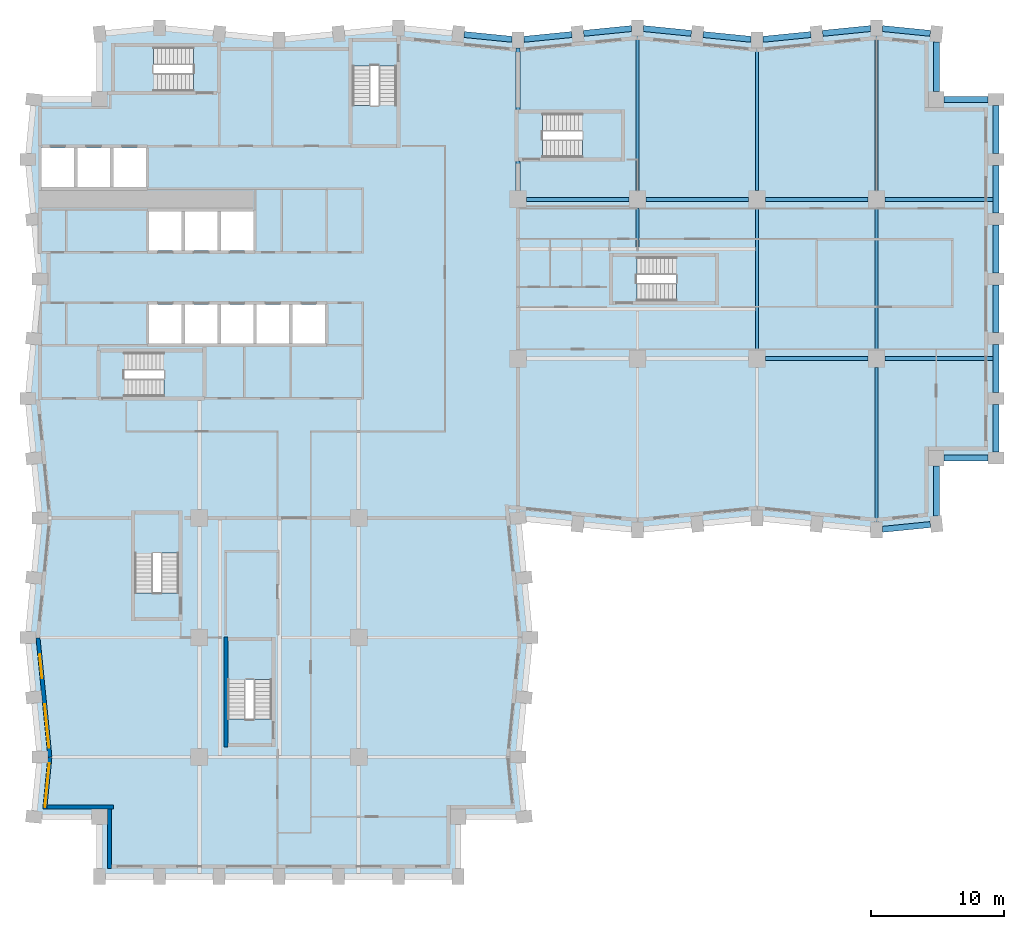
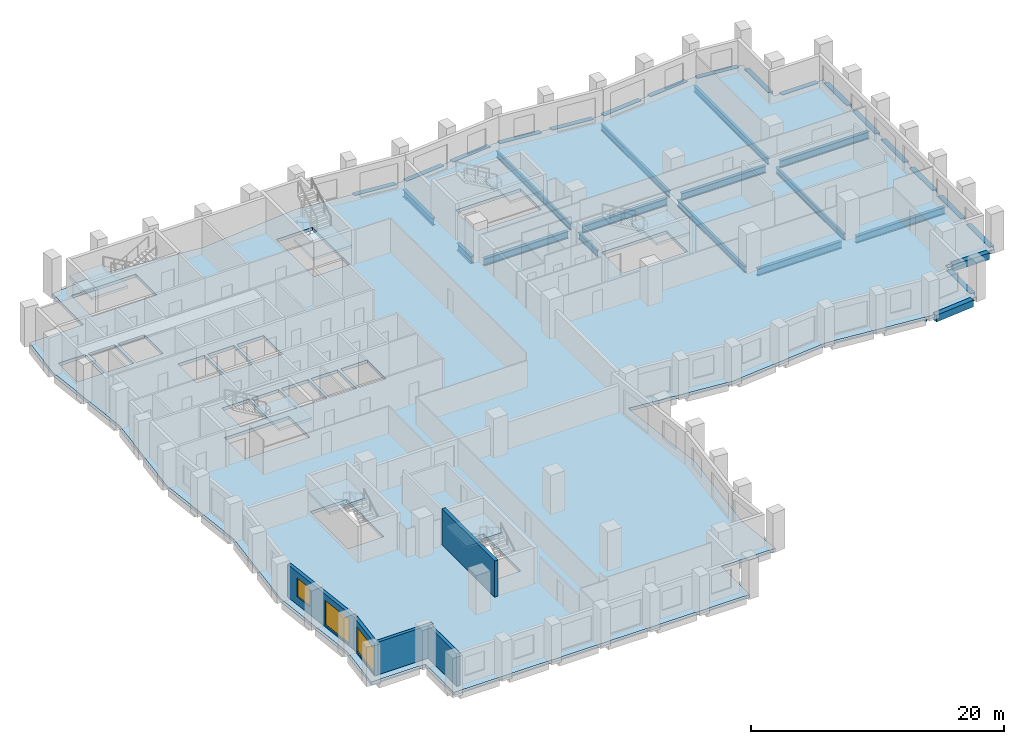
# One storey, part 2 of 11: 34 beams, 8 slabs, 5 walls, 3 windows, 3 openings, 7 elements without a shape of their own.
"""IFC4 building model written with IfcOpenShell, lengths in metres."""

from ifc_helpers import new_model, si_unit, direction, frame, frame_2d, origin, origin_2d, place, context, subcontext, project, spatial, polyline, rectangle, i_section, outline, extrude, material, layer, layer_set, material_profile, profile_set, type_object, element, fill, aggregate, save


model = new_model("IFC4")

# Units and contexts
model_context = context("Model", 3, precision=1e-05, world=origin(), true_north=direction((0.0, 1.0)))
body_context = subcontext(model_context, "Body", "Model", "MODEL_VIEW")
ifc_project = project(units=[si_unit("LENGTHUNIT", "METRE"), si_unit("AREAUNIT", "SQUARE_METRE"), si_unit("VOLUMEUNIT", "CUBIC_METRE"), si_unit("PLANEANGLEUNIT", "RADIAN"), si_unit("MASSUNIT", "GRAM", prefix="KILO")], contexts=[model_context])

# Site, building, storey
site_placement = place(None, origin())
site = spatial("IfcSite", under=ifc_project, at=site_placement, CompositionType="ELEMENT")
building_placement = place(site_placement, origin())
building = spatial("IfcBuilding", under=site, at=building_placement, Name="Brondeck Convention Tower", CompositionType="ELEMENT")
storey_placement = place(building_placement, frame((0.0, 0.0, 130.300048828125)))
storey = spatial("IfcBuildingStorey", under=building, at=storey_placement, Name="L31", CompositionType="ELEMENT", Elevation=130.300048828125)

# Beams
ifc_material_1 = material(Name="Steel S355", Category="steel")
ifc_material_profile_1 = material_profile(ifc_material_1, i_section(OverallWidth=0.219970703125, OverallDepth=0.60009765625, WebThickness=0.011962890625, FlangeThickness=0.01904296875, FilletRadius=0.02392578125, at=origin_2d()), Name="IPE 600")
ifc_profile_set_1 = profile_set([ifc_material_profile_1], Name="Steel S355")
beam_type_1 = type_object("IfcBeamType", Name="Floor beam IPE 600", PredefinedType="BEAM", material=ifc_profile_set_1)
beam_1_placement = place(storey_placement, frame((45.0, 51.64990234375, -0.60009765625), z_axis=(0.0, 1.0, 0.0), x_axis=(-1.0, 0.0, 0.0)))
element("IfcBeam", 1, at=beam_1_placement, inside=storey, type_object=beam_type_1, Name="STR-FB-L31-002", PredefinedType="BEAM", context=body_context, shape_type="SweptSolid", body=[
    extrude(i_section(OverallWidth=0.219970703125, OverallDepth=0.60009765625, WebThickness=0.011962890625, FlangeThickness=0.01904296875, FilletRadius=0.02392578125, at=origin_2d()), origin(), (0.0, 0.0, 1.0), 11.650146484375),
])
beam_2_placement = place(storey_placement, frame((54.0, 39.64990234375, -0.60009765625), z_axis=(0.0, 1.0, 0.0), x_axis=(-1.0, 0.0, 0.0)))
element("IfcBeam", 2, at=beam_2_placement, inside=storey, type_object=beam_type_1, Name="STR-FB-L31-004", PredefinedType="BEAM", context=body_context, shape_type="SweptSolid", body=[
    extrude(i_section(OverallWidth=0.219970703125, OverallDepth=0.60009765625, WebThickness=0.011962890625, FlangeThickness=0.01904296875, FilletRadius=0.02392578125, at=origin_2d()), origin(), (0.0, 0.0, 1.0), 10.7001953125),
])
beam_3_placement = place(storey_placement, frame((54.0, 51.64990234375, -0.60009765625), z_axis=(0.0, 1.0, 0.0), x_axis=(-1.0, 0.0, 0.0)))
element("IfcBeam", 3, at=beam_3_placement, inside=storey, type_object=beam_type_1, Name="STR-FB-L31-005", PredefinedType="BEAM", context=body_context, shape_type="SweptSolid", body=[
    extrude(i_section(OverallWidth=0.219970703125, OverallDepth=0.60009765625, WebThickness=0.011962890625, FlangeThickness=0.01904296875, FilletRadius=0.02392578125, at=origin_2d()), origin(), (0.0, 0.0, 1.0), 10.75),
])
beam_4_placement = place(storey_placement, frame((63.0, 26.699951171875, -0.60009765625), z_axis=(0.0, 1.0, 0.0), x_axis=(-1.0, 0.0, 0.0)))
element("IfcBeam", 4, at=beam_4_placement, inside=storey, type_object=beam_type_1, Name="STR-FB-L31-006", PredefinedType="BEAM", context=body_context, shape_type="SweptSolid", body=[
    extrude(i_section(OverallWidth=0.219970703125, OverallDepth=0.60009765625, WebThickness=0.011962890625, FlangeThickness=0.01904296875, FilletRadius=0.02392578125, at=origin_2d()), origin(), (0.0, 0.0, 1.0), 11.650146484375),
])
beam_5_placement = place(storey_placement, frame((63.0, 39.64990234375, -0.60009765625), z_axis=(0.0, 1.0, 0.0), x_axis=(-1.0, 0.0, 0.0)))
element("IfcBeam", 5, at=beam_5_placement, inside=storey, type_object=beam_type_1, Name="STR-FB-L31-007", PredefinedType="BEAM", context=body_context, shape_type="SweptSolid", body=[
    extrude(i_section(OverallWidth=0.219970703125, OverallDepth=0.60009765625, WebThickness=0.011962890625, FlangeThickness=0.01904296875, FilletRadius=0.02392578125, at=origin_2d()), origin(), (0.0, 0.0, 1.0), 10.7001953125),
])
beam_6_placement = place(storey_placement, frame((63.0, 51.64990234375, -0.60009765625), z_axis=(0.0, 1.0, 0.0), x_axis=(-1.0, 0.0, 0.0)))
element("IfcBeam", 6, at=beam_6_placement, inside=storey, type_object=beam_type_1, Name="STR-FB-L31-008", PredefinedType="BEAM", context=body_context, shape_type="SweptSolid", body=[
    extrude(i_section(OverallWidth=0.219970703125, OverallDepth=0.60009765625, WebThickness=0.011962890625, FlangeThickness=0.01904296875, FilletRadius=0.02392578125, at=origin_2d()), origin(), (0.0, 0.0, 1.0), 11.650146484375),
])
beam_7_placement = place(storey_placement, frame((45.0, 47.39990234375, -0.60009765625), z_axis=(0.0, 1.0, 0.0), x_axis=(-1.0, 0.0, 0.0)))
element("IfcBeam", 7, at=beam_7_placement, inside=storey, type_object=beam_type_1, Name="STR-FB-L31-015", PredefinedType="BEAM", context=body_context, shape_type="SweptSolid", body=[
    extrude(i_section(OverallWidth=0.219970703125, OverallDepth=0.60009765625, WebThickness=0.011962890625, FlangeThickness=0.01904296875, FilletRadius=0.02392578125, at=origin_2d()), origin(), (0.0, 0.0, 1.0), 2.9501953125),
])
ifc_material_profile_2 = material_profile(ifc_material_1, i_section(OverallWidth=0.300048828125, OverallDepth=0.699951171875, WebThickness=0.01708984375, FlangeThickness=0.031982421875, FilletRadius=0.027099609375, at=origin_2d()), Name="HEB 700")
ifc_profile_set_2 = profile_set([ifc_material_profile_2], Name="Steel S355")
beam_type_2 = type_object("IfcBeamType", Name="Girder HEB 700", PredefinedType="BEAM", material=ifc_profile_set_2)
beam_8_placement = place(storey_placement, frame((54.64990234375, 39.0, -0.650146484375), z_axis=(1.0, 0.0, 0.0), x_axis=(0.0, 1.0, 0.0)))
element("IfcBeam", 8, at=beam_8_placement, inside=storey, type_object=beam_type_2, Name="STR-GR-L31-003", PredefinedType="BEAM", context=body_context, shape_type="SweptSolid", body=[
    extrude(i_section(OverallWidth=0.300048828125, OverallDepth=0.699951171875, WebThickness=0.01708984375, FlangeThickness=0.031982421875, FilletRadius=0.027099609375, at=origin_2d()), origin(), (0.0, 0.0, 1.0), 7.7001953125),
])
beam_9_placement = place(storey_placement, frame((63.64990234375, 39.0, -0.650146484375), z_axis=(1.0, 0.0, 0.0), x_axis=(0.0, 1.0, 0.0)))
element("IfcBeam", 9, at=beam_9_placement, inside=storey, type_object=beam_type_2, Name="STR-GR-L31-004", PredefinedType="BEAM", context=body_context, shape_type="SweptSolid", body=[
    extrude(i_section(OverallWidth=0.300048828125, OverallDepth=0.699951171875, WebThickness=0.01708984375, FlangeThickness=0.031982421875, FilletRadius=0.027099609375, at=origin_2d()), origin(), (0.0, 0.0, 1.0), 8.125),
])
for number, where, z_axis, x_axis, name in (
    (10, (36.64990234375, 51.0, -0.650146484375), (1.0, 0.0, 0.0), (0.0, 1.0, 0.0), "STR-GR-L31-005"),
    (11, (45.64990234375, 51.0, -0.650146484375), (1.0, 0.0, 0.0), (0.0, 1.0, 0.0), "STR-GR-L31-006"),
    (12, (54.64990234375, 51.0, -0.650146484375), (1.0, 0.0, 0.0), (0.0, 1.0, 0.0), "STR-GR-L31-007"),
):
    element("IfcBeam", number, at=place(storey_placement, frame(where, z_axis=z_axis, x_axis=x_axis)), inside=storey, type_object=beam_type_2, Name=name, PredefinedType="BEAM", context=body_context, shape_type="SweptSolid", body=[
        extrude(i_section(OverallWidth=0.300048828125, OverallDepth=0.699951171875, WebThickness=0.01708984375, FlangeThickness=0.031982421875, FilletRadius=0.027099609375, at=origin_2d()), origin(), (0.0, 0.0, 1.0), 7.7001953125),
    ])
beam_10_placement = place(storey_placement, frame((63.64990234375, 51.0, -0.650146484375), z_axis=(1.0, 0.0, 0.0), x_axis=(0.0, 1.0, 0.0)))
element("IfcBeam", 13, at=beam_10_placement, inside=storey, type_object=beam_type_2, Name="STR-GR-L31-008", PredefinedType="BEAM", context=body_context, shape_type="SweptSolid", body=[
    extrude(i_section(OverallWidth=0.300048828125, OverallDepth=0.699951171875, WebThickness=0.01708984375, FlangeThickness=0.031982421875, FilletRadius=0.027099609375, at=origin_2d()), origin(), (0.0, 0.0, 1.0), 8.125),
])
beam_11_placement = place(storey_placement, frame((36.0, 51.64990234375, -0.650146484375), z_axis=(0.0, 1.0, 0.0), x_axis=(-1.0, 0.0, 0.0)))
element("IfcBeam", 14, at=beam_11_placement, inside=storey, type_object=beam_type_2, Name="STR-GR-L31-011", PredefinedType="BEAM", context=body_context, shape_type="SweptSolid", body=[
    extrude(i_section(OverallWidth=0.300048828125, OverallDepth=0.699951171875, WebThickness=0.01708984375, FlangeThickness=0.031982421875, FilletRadius=0.027099609375, at=origin_2d()), origin(), (0.0, 0.0, 1.0), 2.22998046875),
])
beam_12_placement = place(storey_placement, frame((36.0, 57.719970703125, -0.650146484375), z_axis=(0.0, 1.0, 0.0), x_axis=(-1.0, 0.0, 0.0)))
element("IfcBeam", 15, at=beam_12_placement, inside=storey, type_object=beam_type_2, Name="STR-GR-L31-012", PredefinedType="BEAM", context=body_context, shape_type="SweptSolid", body=[
    extrude(i_section(OverallWidth=0.300048828125, OverallDepth=0.699951171875, WebThickness=0.01708984375, FlangeThickness=0.031982421875, FilletRadius=0.027099609375, at=origin_2d()), origin(), (0.0, 0.0, 1.0), 4.679931640625),
])
ifc_material_2 = material(Name="Concrete C70/85", Category="concrete")
ifc_material_profile_3 = material_profile(ifc_material_2, rectangle(XDim=0.449951171875, YDim=0.64990234375, at=origin_2d()), Name="Precast spandrel 450x650 Concrete C70/85")
ifc_profile_set_3 = profile_set([ifc_material_profile_3], Name="Concrete C70/85")
beam_type_3 = type_object("IfcBeamType", Name="Precast spandrel 450x650 Concrete C70/85", PredefinedType="SPANDREL", material=ifc_profile_set_3)
beam_13_placement = place(storey_placement, frame((63.449951171875, 26.14501953125, -0.324951171875), z_axis=(0.995040528141, 0.099470334057, 0.0), x_axis=(-0.099470334057, 0.995040528141, 0.0)))
element("IfcBeam", 16, at=beam_13_placement, inside=storey, type_object=beam_type_3, Name="STR-SP-L31-020", PredefinedType="SPANDREL", context=body_context, shape_type="SweptSolid", body=[
    extrude(rectangle(XDim=0.449951171875, YDim=0.64990234375, at=origin_2d()), origin(), (0.0, 0.0, 1.0), 3.620361328125),
])
beam_14_placement = place(storey_placement, frame((67.5, 27.153076171875, -0.324951171875), z_axis=(0.0, 1.0, 0.0), x_axis=(-1.0, 0.0, 0.0)))
element("IfcBeam", 17, at=beam_14_placement, inside=storey, type_object=beam_type_3, Name="STR-SP-L31-021", PredefinedType="SPANDREL", context=body_context, shape_type="SweptSolid", body=[
    extrude(rectangle(XDim=0.449951171875, YDim=0.64990234375, at=origin_2d()), origin(), (0.0, 0.0, 1.0), 3.746826171875),
])
beam_15_placement = place(storey_placement, frame((68.10009765625, 31.5, -0.324951171875), z_axis=(1.0, 0.0, 0.0), x_axis=(0.0, 1.0, 0.0)))
element("IfcBeam", 18, at=beam_15_placement, inside=storey, type_object=beam_type_3, Name="STR-SP-L31-022", PredefinedType="SPANDREL", context=body_context, shape_type="SweptSolid", body=[
    extrude(rectangle(XDim=0.449951171875, YDim=0.64990234375, at=origin_2d()), origin(), (0.0, 0.0, 1.0), 3.2998046875),
])
for number, where, z_axis, x_axis, name in (
    (19, (72.0, 31.949951171875, -0.324951171875), (0.0, 1.0, 0.0), (-1.0, 0.0, 0.0), "STR-SP-L31-023"),
    (20, (72.0, 36.449951171875, -0.324951171875), (0.0, 1.0, 0.0), (-1.0, 0.0, 0.0), "STR-SP-L31-024"),
    (21, (72.0, 40.949951171875, -0.324951171875), (0.0, 1.0, 0.0), (-1.0, 0.0, 0.0), "STR-SP-L31-025"),
    (22, (72.0, 45.449951171875, -0.324951171875), (0.0, 1.0, 0.0), (-1.0, 0.0, 0.0), "STR-SP-L31-026"),
    (23, (72.0, 49.949951171875, -0.324951171875), (0.0, 1.0, 0.0), (-1.0, 0.0, 0.0), "STR-SP-L31-027"),
    (24, (72.0, 54.449951171875, -0.324951171875), (0.0, 1.0, 0.0), (-1.0, 0.0, 0.0), "STR-SP-L31-028"),
):
    element("IfcBeam", number, at=place(storey_placement, frame(where, z_axis=z_axis, x_axis=x_axis)), inside=storey, type_object=beam_type_3, Name=name, PredefinedType="SPANDREL", context=body_context, shape_type="SweptSolid", body=[
        extrude(rectangle(XDim=0.449951171875, YDim=0.64990234375, at=origin_2d()), origin(), (0.0, 0.0, 1.0), 3.60009765625),
    ])
beam_16_placement = place(storey_placement, frame((71.39990234375, 58.5, -0.324951171875), z_axis=(-1.0, 0.0, 0.0), x_axis=(0.0, -1.0, 0.0)))
element("IfcBeam", 25, at=beam_16_placement, inside=storey, type_object=beam_type_3, Name="STR-SP-L31-029", PredefinedType="SPANDREL", context=body_context, shape_type="SweptSolid", body=[
    extrude(rectangle(XDim=0.449951171875, YDim=0.64990234375, at=origin_2d()), origin(), (0.0, 0.0, 1.0), 3.2998046875),
])
beam_17_placement = place(storey_placement, frame((67.5, 59.10009765625, -0.324951171875), z_axis=(0.0, 1.0, 0.0), x_axis=(-1.0, 0.0, 0.0)))
element("IfcBeam", 26, at=beam_17_placement, inside=storey, type_object=beam_type_3, Name="STR-SP-L31-030", PredefinedType="SPANDREL", context=body_context, shape_type="SweptSolid", body=[
    extrude(rectangle(XDim=0.449951171875, YDim=0.64990234375, at=origin_2d()), origin(), (0.0, 0.0, 1.0), 3.746826171875),
])
for number, where, z_axis, x_axis, name in (
    (27, (67.05224609375, 63.494873046875, -0.324951171875), (-0.995040528141, 0.099470334057, 0.0), (-0.099470334057, -0.995040528141, 0.0), "STR-SP-L31-031"),
    (28, (62.550048828125, 63.85498046875, -0.324951171875), (-0.995040528141, -0.099470334057, 0.0), (0.099470334057, -0.995040528141, 0.0), "STR-SP-L31-032"),
    (29, (58.05224609375, 63.4052734375, -0.324951171875), (-0.995033851182, -0.099537103649, 0.0), (0.099537103649, -0.995033851182, 0.0), "STR-SP-L31-033"),
    (30, (53.550048828125, 63.044921875, -0.324951171875), (-0.995033851182, 0.099537103649, 0.0), (-0.099537103649, -0.995033851182, 0.0), "STR-SP-L31-034"),
    (31, (49.05224609375, 63.494873046875, -0.324951171875), (-0.995040528141, 0.099470334057, 0.0), (-0.099470334057, -0.995040528141, 0.0), "STR-SP-L31-035"),
    (32, (44.550048828125, 63.85498046875, -0.324951171875), (-0.995040528141, -0.099470334057, 0.0), (0.099470334057, -0.995040528141, 0.0), "STR-SP-L31-036"),
    (33, (40.05224609375, 63.4052734375, -0.324951171875), (-0.995033851182, -0.099537103649, 0.0), (0.099537103649, -0.995033851182, 0.0), "STR-SP-L31-037"),
    (34, (35.550048828125, 63.044921875, -0.324951171875), (-0.995033851182, 0.099537103649, 0.0), (-0.099537103649, -0.995033851182, 0.0), "STR-SP-L31-038"),
):
    element("IfcBeam", number, at=place(storey_placement, frame(where, z_axis=z_axis, x_axis=x_axis)), inside=storey, type_object=beam_type_3, Name=name, PredefinedType="SPANDREL", context=body_context, shape_type="SweptSolid", body=[
        extrude(rectangle(XDim=0.449951171875, YDim=0.64990234375, at=origin_2d()), origin(), (0.0, 0.0, 1.0), 3.620361328125),
    ])

# Slab
ifc_material_3 = material(Name="Concrete C35/45", Category="concrete")
ifc_layer_1 = layer(ifc_material_3, 0.300048828125)
ifc_layer_set_1 = layer_set([ifc_layer_1], Name="Composite floor slab 300")
slab_type_1 = type_object("IfcSlabType", Name="Composite floor slab 300", PredefinedType="FLOOR", material=ifc_layer_set_1)
slab_1_placement = place(storey_placement, frame((0.0, 0.0, -0.300048828125)))
element("IfcSlab", 35, at=slab_1_placement, inside=storey, type_object=slab_type_1, Name="STR-SL-L31", PredefinedType="FLOOR", context=body_context, shape_type="SweptSolid", body=[
    extrude(outline(polyline([(4.5, 4.5), (-0.449951171875, 4.5), (0.0, 9.0), (-0.89990234375, 18.0), (0.0, 27.0), (-0.89990234375, 36.0), (0.0, 45.0), (-0.89990234375, 54.0), (-0.449951171875, 58.5), (4.5, 58.5), (4.5, 63.449951171875), (9.0, 63.89990234375), (18.0, 63.0), (27.0, 63.89990234375), (36.0, 63.0), (45.0, 63.89990234375), (54.0, 63.0), (63.0, 63.89990234375), (67.5, 63.449951171875), (67.5, 58.5), (72.0, 58.5), (72.0, 31.5), (67.5, 31.5), (67.5, 26.550048828125), (63.0, 26.10009765625), (54.0, 27.0), (45.0, 26.10009765625), (36.0, 27.0), (36.89990234375, 18.0), (36.0, 9.0), (36.449951171875, 4.5), (31.5, 4.5), (31.5, 0.0), (4.5, 0.0), (4.5, 4.5)]), holes=[polyline([(10.447998046875, 27.248046875), (7.152099609375, 27.248046875), (7.152099609375, 21.35205078125), (10.447998046875, 21.35205078125), (10.447998046875, 27.248046875)]), polyline([(12.248046875, 36.152099609375), (12.248046875, 39.447998046875), (6.35205078125, 39.447998046875), (6.35205078125, 36.152099609375), (12.248046875, 36.152099609375)]), polyline([(10.675048828125, 40.125), (10.675048828125, 43.074951171875), (8.22509765625, 43.074951171875), (8.22509765625, 40.125), (10.675048828125, 40.125)]), polyline([(10.675048828125, 47.125), (10.675048828125, 50.074951171875), (8.22509765625, 50.074951171875), (8.22509765625, 47.125), (10.675048828125, 47.125)]), polyline([(13.375, 47.125), (13.375, 50.074951171875), (10.925048828125, 50.074951171875), (10.925048828125, 47.125), (13.375, 47.125)]), polyline([(2.574951171875, 51.925048828125), (2.574951171875, 54.875), (0.125, 54.875), (0.125, 51.925048828125), (2.574951171875, 51.925048828125)]), polyline([(5.27490234375, 51.925048828125), (5.27490234375, 54.875), (2.824951171875, 54.875), (2.824951171875, 51.925048828125), (5.27490234375, 51.925048828125)]), polyline([(5.52490234375, 51.925048828125), (7.97509765625, 51.925048828125), (7.97509765625, 54.875), (5.52490234375, 54.875), (5.52490234375, 51.925048828125)]), polyline([(11.548095703125, 62.447998046875), (5.652099609375, 62.447998046875), (5.652099609375, 59.152099609375), (11.548095703125, 59.152099609375), (11.548095703125, 62.447998046875)]), polyline([(17.447998046875, 17.748046875), (14.152099609375, 17.748046875), (14.152099609375, 11.85205078125), (17.447998046875, 11.85205078125), (17.447998046875, 17.748046875)]), polyline([(13.375, 40.125), (13.375, 43.074951171875), (10.925048828125, 43.074951171875), (10.925048828125, 40.125), (13.375, 40.125)]), polyline([(16.074951171875, 40.125), (16.074951171875, 43.074951171875), (13.625, 43.074951171875), (13.625, 40.125), (16.074951171875, 40.125)]), polyline([(18.77490234375, 40.125), (18.77490234375, 43.074951171875), (16.324951171875, 43.074951171875), (16.324951171875, 40.125), (18.77490234375, 40.125)]), polyline([(21.47509765625, 40.125), (21.47509765625, 43.074951171875), (19.02490234375, 43.074951171875), (19.02490234375, 40.125), (21.47509765625, 40.125)]), polyline([(50.847900390625, 43.35205078125), (50.847900390625, 46.64794921875), (44.951904296875, 46.64794921875), (44.951904296875, 43.35205078125), (50.847900390625, 43.35205078125)]), polyline([(16.074951171875, 47.125), (16.074951171875, 50.074951171875), (13.625, 50.074951171875), (13.625, 47.125), (16.074951171875, 47.125)]), polyline([(37.85205078125, 54.152099609375), (43.748046875, 54.152099609375), (43.748046875, 57.447998046875), (37.85205078125, 57.447998046875), (37.85205078125, 54.152099609375)]), polyline([(23.552001953125, 61.048095703125), (23.552001953125, 55.152099609375), (26.847900390625, 55.152099609375), (26.847900390625, 61.048095703125), (23.552001953125, 61.048095703125)])]), origin(), (0.0, 0.0, 1.0), 0.300048828125),
])

# Stair, slab
ifc_material_4 = material(Name="Precast concrete C50/60", Category="concrete")
stair_type = type_object("IfcStairType", Name="Core stair 22 risers 172.73 mm riser 300 mm going 1350 wide", PredefinedType="HALF_TURN_STAIR", material=ifc_material_4)
stair_1_placement = place(storey_placement, origin())
stair_1 = element("IfcStair", 36, at=stair_1_placement, inside=storey, type_object=stair_type, Name="ST-1 L31 stair", PredefinedType="HALF_TURN_STAIR")
ifc_layer_2 = layer(ifc_material_4, 0.25)
ifc_layer_set_2 = layer_set([ifc_layer_2], Name="Core stair landing 250 Precast concrete C50/60")
slab_type_2 = type_object("IfcSlabType", Name="Core stair landing 250 Precast concrete C50/60", PredefinedType="LANDING", material=ifc_layer_set_2)
slab_2_placement = place(storey_placement, frame((0.0, 0.0, 1.64990234375)))
slab_2 = element("IfcSlab", 37, at=slab_2_placement, type_object=slab_type_2, Name="ST-1 landing 1", PredefinedType="LANDING", context=body_context, shape_type="SweptSolid", body=[
    extrude(outline(polyline([(9.347900390625, 37.5), (9.35009765625, 37.5), (9.35009765625, 38.10009765625), (9.050048828125, 38.10009765625), (9.050048828125, 39.570068359375), (12.3701171875, 39.570068359375), (12.3701171875, 36.030029296875), (9.347900390625, 36.030029296875), (9.347900390625, 37.5)])), origin(), (0.0, 0.0, 1.0), 0.25),
])
aggregate(stair_1, [slab_2])

stair_2_placement = place(storey_placement, origin())
stair_2 = element("IfcStair", 38, at=stair_2_placement, inside=storey, type_object=stair_type, Name="ST-2 L31 stair", PredefinedType="HALF_TURN_STAIR")
slab_3_placement = place(storey_placement, frame((0.0, 0.0, 1.64990234375)))
slab_3 = element("IfcSlab", 39, at=slab_3_placement, type_object=slab_type_2, Name="ST-2 landing 1", PredefinedType="LANDING", context=body_context, shape_type="SweptSolid", body=[
    extrude(outline(polyline([(23.429931640625, 58.052001953125), (24.89990234375, 58.052001953125), (24.89990234375, 58.050048828125), (25.5, 58.050048828125), (25.5, 58.35009765625), (26.969970703125, 58.35009765625), (26.969970703125, 55.030029296875), (23.429931640625, 55.030029296875), (23.429931640625, 58.052001953125)])), origin(), (0.0, 0.0, 1.0), 0.25),
])
aggregate(stair_2, [slab_3])

stair_3_placement = place(storey_placement, origin())
stair_3 = element("IfcStair", 40, at=stair_3_placement, inside=storey, type_object=stair_type, Name="ST-3 L31 stair", PredefinedType="HALF_TURN_STAIR")
slab_4_placement = place(storey_placement, frame((0.0, 0.0, 1.64990234375)))
slab_4 = element("IfcSlab", 41, at=slab_4_placement, type_object=slab_type_2, Name="ST-3 landing 1", PredefinedType="LANDING", context=body_context, shape_type="SweptSolid", body=[
    extrude(outline(polyline([(8.85009765625, 60.5), (8.85009765625, 59.030029296875), (5.530029296875, 59.030029296875), (5.530029296875, 62.570068359375), (8.552001953125, 62.570068359375), (8.552001953125, 61.10009765625), (8.550048828125, 61.10009765625), (8.550048828125, 60.5), (8.85009765625, 60.5)])), origin(), (0.0, 0.0, 1.0), 0.25),
])
aggregate(stair_3, [slab_4])

stair_4_placement = place(storey_placement, origin())
stair_4 = element("IfcStair", 42, at=stair_4_placement, inside=storey, type_object=stair_type, Name="ST-AE L31 stair", PredefinedType="HALF_TURN_STAIR")
slab_5_placement = place(storey_placement, frame((0.0, 0.0, 1.64990234375)))
slab_5 = element("IfcSlab", 43, at=slab_5_placement, type_object=slab_type_2, Name="ST-AE landing 1", PredefinedType="LANDING", context=body_context, shape_type="SweptSolid", body=[
    extrude(outline(polyline([(40.847900390625, 55.5), (40.85009765625, 55.5), (40.85009765625, 56.10009765625), (40.550048828125, 56.10009765625), (40.550048828125, 57.570068359375), (43.8701171875, 57.570068359375), (43.8701171875, 54.030029296875), (40.847900390625, 54.030029296875), (40.847900390625, 55.5)])), origin(), (0.0, 0.0, 1.0), 0.25),
])
aggregate(stair_4, [slab_5])

stair_5_placement = place(storey_placement, origin())
stair_5 = element("IfcStair", 44, at=stair_5_placement, inside=storey, type_object=stair_type, Name="ST-BE L31 stair", PredefinedType="HALF_TURN_STAIR")
slab_6_placement = place(storey_placement, frame((0.0, 0.0, 1.64990234375)))
slab_6 = element("IfcSlab", 45, at=slab_6_placement, type_object=slab_type_2, Name="ST-BE landing 1", PredefinedType="LANDING", context=body_context, shape_type="SweptSolid", body=[
    extrude(outline(polyline([(7.030029296875, 24.050048828125), (7.030029296875, 27.3701171875), (10.570068359375, 27.3701171875), (10.570068359375, 24.347900390625), (9.10009765625, 24.347900390625), (9.10009765625, 24.35009765625), (8.5, 24.35009765625), (8.5, 24.050048828125), (7.030029296875, 24.050048828125)])), origin(), (0.0, 0.0, 1.0), 0.25),
])
aggregate(stair_5, [slab_6])

stair_6_placement = place(storey_placement, origin())
stair_6 = element("IfcStair", 46, at=stair_6_placement, inside=storey, type_object=stair_type, Name="ST-AF L31 stair", PredefinedType="HALF_TURN_STAIR")
slab_7_placement = place(storey_placement, frame((0.0, 0.0, 1.64990234375)))
slab_7 = element("IfcSlab", 47, at=slab_7_placement, type_object=slab_type_2, Name="ST-AF landing 1", PredefinedType="LANDING", context=body_context, shape_type="SweptSolid", body=[
    extrude(outline(polyline([(47.947998046875, 44.699951171875), (47.949951171875, 44.699951171875), (47.949951171875, 45.300048828125), (47.64990234375, 45.300048828125), (47.64990234375, 46.77001953125), (50.969970703125, 46.77001953125), (50.969970703125, 43.22998046875), (47.947998046875, 43.22998046875), (47.947998046875, 44.699951171875)])), origin(), (0.0, 0.0, 1.0), 0.25),
])
aggregate(stair_6, [slab_7])

stair_7_placement = place(storey_placement, origin())
stair_7 = element("IfcStair", 48, at=stair_7_placement, inside=storey, type_object=stair_type, Name="ST-BF L31 stair", PredefinedType="HALF_TURN_STAIR")
slab_8_placement = place(storey_placement, frame((0.0, 0.0, 1.64990234375)))
slab_8 = element("IfcSlab", 49, at=slab_8_placement, type_object=slab_type_2, Name="ST-BF landing 1", PredefinedType="LANDING", context=body_context, shape_type="SweptSolid", body=[
    extrude(outline(polyline([(14.030029296875, 14.550048828125), (14.030029296875, 17.8701171875), (17.570068359375, 17.8701171875), (17.570068359375, 14.847900390625), (16.10009765625, 14.847900390625), (16.10009765625, 14.85009765625), (15.5, 14.85009765625), (15.5, 14.550048828125), (14.030029296875, 14.550048828125)])), origin(), (0.0, 0.0, 1.0), 0.25),
])
aggregate(stair_7, [slab_8])

# Wall, openings, windows
ifc_material_5 = material(Name="Precast concrete C50/60 bronze finish", Category="concrete")
ifc_layer_3 = layer(ifc_material_5, 0.070068359375, Name="Bronze precast facing")
ifc_material_6 = material(Name="Mineral wool")
ifc_layer_4 = layer(ifc_material_6, 0.159912109375, Name="Insulation")
ifc_layer_5 = layer(ifc_material_3, 0.070068359375, Name="Backing")
ifc_layer_set_3 = layer_set([ifc_layer_3, ifc_layer_4, ifc_layer_5], Name="External infill wall, precast concrete C50/60 bronze facing")
wall_type_1 = type_object("IfcWallType", Name="External infill wall, precast concrete C50/60 bronze facing", PredefinedType="SOLIDWALL", material=ifc_layer_set_3)
wall_1_placement = place(storey_placement, frame((0.755126953125, 8.985107421875, 0.0), z_axis=(0.0, 0.0, 1.0), x_axis=(-0.099495688264, 0.995037993253, 0.0)))
wall_1 = element("IfcWall", 50, at=wall_1_placement, inside=storey, type_object=wall_type_1, Name="ENV-EW-L31-P0-B-W-10", PredefinedType="SOLIDWALL", context=body_context, shape_type="SweptSolid", body=[
    extrude(rectangle(XDim=9.030029296875, YDim=0.300048828125, at=frame_2d((4.51513671875, 0.0))), origin(), (0.0, 0.0, 1.0), 3.14990234375),
])
opening_1_placement = place(wall_1_placement, frame((0.701171875, 0.0, 0.14990234375)))
opening_1 = element("IfcOpeningElement", 51, at=opening_1_placement, cuts=wall_1, Name="Opening W9", PredefinedType="OPENING", context=body_context, shape_type="SweptSolid", body=[
    extrude(rectangle(XDim=3.300048828125, YDim=2.39990234375, at=frame_2d((1.64990234375, 1.199951171875))), frame((0.0, 0.159912109375, 0.0), z_axis=(0.0, -1.0, 0.0), x_axis=(1.0, 0.0, 0.0)), (0.0, 0.0, 1.0), 0.320068359375),
])
opening_2_placement = place(wall_1_placement, frame((5.9736328125, 0.0, 0.75)))
opening_2 = element("IfcOpeningElement", 52, at=opening_2_placement, cuts=wall_1, Name="Opening W10", PredefinedType="OPENING", context=body_context, shape_type="SweptSolid", body=[
    extrude(rectangle(XDim=1.800048828125, YDim=1.800048828125, at=frame_2d((0.89990234375, 0.89990234375))), frame((0.0, 0.159912109375, 0.0), z_axis=(0.0, -1.0, 0.0), x_axis=(1.0, 0.0, 0.0)), (0.0, 0.0, 1.0), 0.320068359375),
])
ifc_material_7 = material(Name="Bronze tinted double glazing", Category="glass")
window_type_1 = type_object("IfcWindowType", Name="Glazed flute window, bronze tinted", PartitioningType="SINGLE_PANEL", PredefinedType="WINDOW", material=ifc_material_7)
window_1_placement = place(opening_1_placement, origin())
window_1 = element("IfcWindow", 53, at=window_1_placement, inside=storey, type_object=window_type_1, Name="ENV-WN-L31-P0-B-W-11", OverallHeight=2.39990234375, OverallWidth=3.300048828125, PartitioningType="SINGLE_PANEL", PredefinedType="WINDOW", context=body_context, shape_type="SweptSolid", body=[
    extrude(rectangle(XDim=3.300048828125, YDim=2.39990234375, at=frame_2d((1.64990234375, 1.199951171875))), frame((0.0, 0.030029296875, 0.0), z_axis=(0.0, -1.0, 0.0), x_axis=(1.0, 0.0, 0.0)), (0.0, 0.0, 1.0), 0.06005859375),
])
fill(opening_1, window_1)
window_type_2 = type_object("IfcWindowType", Name="Punched window, bronze tinted", PartitioningType="SINGLE_PANEL", PredefinedType="WINDOW", material=ifc_material_7)
window_2_placement = place(opening_2_placement, origin())
window_2 = element("IfcWindow", 54, at=window_2_placement, inside=storey, type_object=window_type_2, Name="ENV-WN-L31-P0-B-W-10", OverallHeight=1.800048828125, OverallWidth=1.800048828125, PartitioningType="SINGLE_PANEL", PredefinedType="WINDOW", context=body_context, shape_type="SweptSolid", body=[
    extrude(rectangle(XDim=1.800048828125, YDim=1.800048828125, at=frame_2d((0.89990234375, 0.89990234375))), frame((0.0, 0.030029296875, 0.0), z_axis=(0.0, -1.0, 0.0), x_axis=(1.0, 0.0, 0.0)), (0.0, 0.0, 1.0), 0.06005859375),
])
fill(opening_2, window_2)

# Wall, opening, window
wall_2_placement = place(storey_placement, frame((0.3623046875, 5.085205078125, 0.0), z_axis=(0.0, 0.0, 1.0), x_axis=(0.099485145752, 0.995039047362, 0.0)))
wall_2 = element("IfcWall", 55, at=wall_2_placement, inside=storey, type_object=wall_type_1, Name="ENV-EW-L31-P0-B-W-12", PredefinedType="SOLIDWALL", context=body_context, shape_type="SweptSolid", body=[
    extrude(rectangle(XDim=3.904296875, YDim=0.300048828125, at=frame_2d((1.9521484375, 0.0))), origin(), (0.0, 0.0, 1.0), 3.14990234375),
])
opening_3_placement = place(wall_2_placement, frame((0.14990234375, 0.0, 0.14990234375)))
opening_3 = element("IfcOpeningElement", 56, at=opening_3_placement, cuts=wall_2, Name="Opening W9", PredefinedType="OPENING", context=body_context, shape_type="SweptSolid", body=[
    extrude(rectangle(XDim=3.300048828125, YDim=2.39990234375, at=frame_2d((1.64990234375, 1.199951171875))), frame((0.0, 0.159912109375, 0.0), z_axis=(0.0, -1.0, 0.0), x_axis=(1.0, 0.0, 0.0)), (0.0, 0.0, 1.0), 0.320068359375),
])
window_3_placement = place(opening_3_placement, origin())
window_3 = element("IfcWindow", 57, at=window_3_placement, inside=storey, type_object=window_type_1, Name="ENV-WN-L31-P0-B-W-12", OverallHeight=2.39990234375, OverallWidth=3.300048828125, PartitioningType="SINGLE_PANEL", PredefinedType="WINDOW", context=body_context, shape_type="SweptSolid", body=[
    extrude(rectangle(XDim=3.300048828125, YDim=2.39990234375, at=frame_2d((1.64990234375, 1.199951171875))), frame((0.0, 0.030029296875, 0.0), z_axis=(0.0, -1.0, 0.0), x_axis=(1.0, 0.0, 0.0)), (0.0, 0.0, 1.0), 0.06005859375),
])
fill(opening_3, window_3)

# Walls
wall_3_placement = place(storey_placement, frame((5.550048828125, 5.25, 0.0), z_axis=(0.0, 0.0, 1.0), x_axis=(-1.0, 0.0, 0.0)))
element("IfcWall", 58, at=wall_3_placement, inside=storey, type_object=wall_type_1, Name="ENV-EW-L31-P0-NC-SWB0-01", PredefinedType="SOLIDWALL", context=body_context, shape_type="SweptSolid", body=[
    extrude(rectangle(XDim=5.015380859375, YDim=0.300048828125, at=frame_2d((2.5078125, 0.0))), origin(), (0.0, 0.0, 1.0), 3.14990234375),
])
wall_4_placement = place(storey_placement, frame((5.25, 0.60009765625, 0.0), z_axis=(0.0, 0.0, 1.0), x_axis=(0.0, 1.0, 0.0)))
element("IfcWall", 59, at=wall_4_placement, inside=storey, type_object=wall_type_1, Name="ENV-EW-L31-P0-NC-SWB0-02", PredefinedType="SOLIDWALL", context=body_context, shape_type="SweptSolid", body=[
    extrude(rectangle(XDim=4.5, YDim=0.300048828125, at=frame_2d((2.25, 0.0))), origin(), (0.0, 0.0, 1.0), 3.14990234375),
])
ifc_layer_6 = layer(ifc_material_2, 0.300048828125)
ifc_layer_set_4 = layer_set([ifc_layer_6], Name="Stair enclosure wall 300 Concrete C70/85")
wall_type_2 = type_object("IfcWallType", Name="Stair enclosure wall 300 Concrete C70/85", PredefinedType="SHEAR", material=ifc_layer_set_4)
wall_5_placement = place(storey_placement, frame((14.0, 9.75, 0.0), z_axis=(0.0, 0.0, 1.0), x_axis=(0.0, 1.0, 0.0)))
element("IfcWall", 60, at=wall_5_placement, inside=storey, type_object=wall_type_2, Name="L31 core wall", PredefinedType="SHEAR", context=body_context, shape_type="SweptSolid", body=[
    extrude(rectangle(XDim=8.300048828125, YDim=0.300048828125, at=frame_2d((4.14990234375, 0.0))), origin(), (0.0, 0.0, 1.0), 3.5),
])

save(model, "model.ifc")
